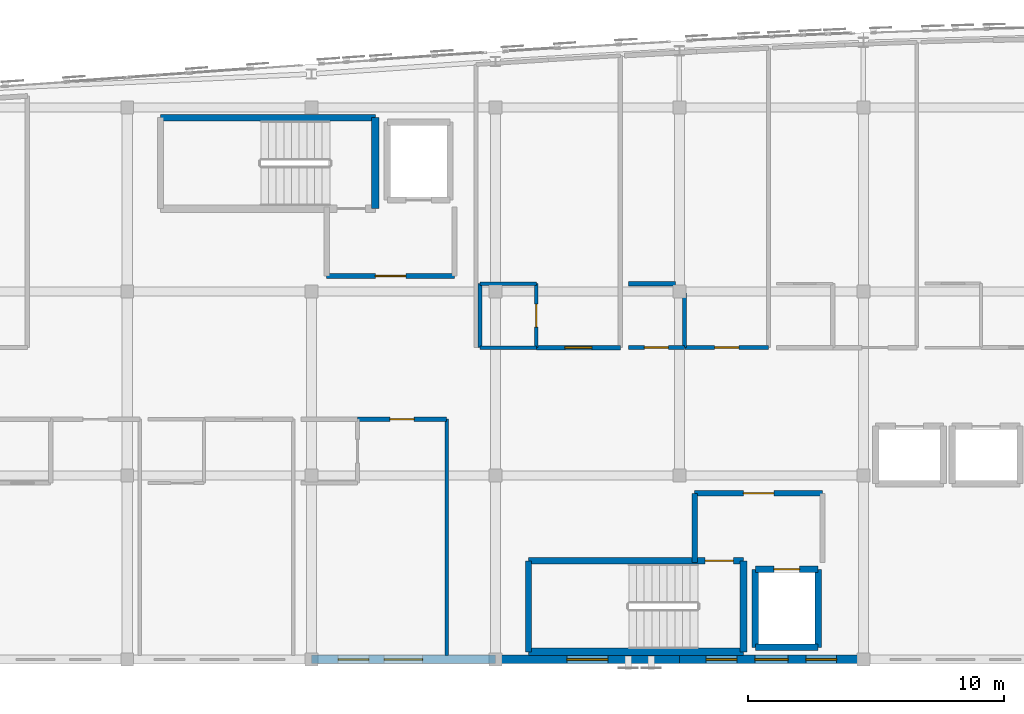
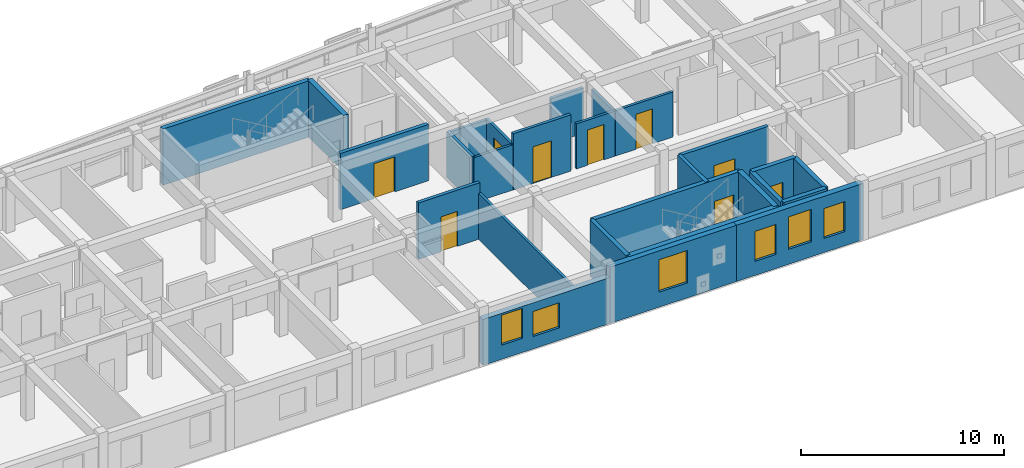
# One storey, part 27 of 34: 27 walls, 9 doors, 6 windows, 15 openings.
"""IFC4 building model written with IfcOpenShell, lengths in metres."""

from ifc_helpers import new_model, si_unit, direction, frame, frame_2d, origin, place, context, subcontext, project, spatial, rectangle, extrude, material, layer, layer_set, type_object, element, fill, save


model = new_model("IFC4")

# Units and contexts
model_context = context("Model", 3, precision=1e-05, world=origin(), true_north=direction((0.0, 1.0)))
body_context = subcontext(model_context, "Body", "Model", "MODEL_VIEW")
ifc_project = project(units=[si_unit("LENGTHUNIT", "METRE"), si_unit("AREAUNIT", "SQUARE_METRE"), si_unit("VOLUMEUNIT", "CUBIC_METRE"), si_unit("PLANEANGLEUNIT", "RADIAN"), si_unit("MASSUNIT", "GRAM", prefix="KILO")], contexts=[model_context])

# Site, building, storey
site_placement = place(None, origin())
site = spatial("IfcSite", under=ifc_project, at=site_placement, CompositionType="ELEMENT")
building_placement = place(site_placement, origin())
building = spatial("IfcBuilding", under=site, at=building_placement, Name="Carrowvane Square Congress Hotel", CompositionType="ELEMENT")
storey_placement = place(building_placement, frame((0.0, 0.0, 40.800048828125)))
storey = spatial("IfcBuildingStorey", under=building, at=storey_placement, Name="L10", CompositionType="ELEMENT", Elevation=40.800048828125)

# Wall, openings, windows
ifc_material_1 = material(Name="Glazed terracotta rainscreen", Category="masonry")
ifc_layer_1 = layer(ifc_material_1, 0.330078125)
ifc_layer_set_1 = layer_set([ifc_layer_1], Name="Glazed terracotta rainscreen")
wall_type_1 = type_object("IfcWallType", Name="WL-EXT-TC330", PredefinedType="STANDARD", material=ifc_layer_set_1)
wall_1_placement = place(storey_placement, frame((83.60009765625, 91.800048828125, 0.0), z_axis=(0.0, 0.0, 1.0), x_axis=(-1.0, 0.0, 0.0)))
wall_1 = element("IfcWall", 1, at=wall_1_placement, inside=storey, type_object=wall_type_1, Name="L10 exterior facade wall 594", PredefinedType="STANDARD", context=body_context, shape_type="SweptSolid", body=[
    extrude(rectangle(XDim=7.2001953125, YDim=0.330078125, at=frame_2d((3.60009765625, 0.0))), origin(), (0.0, 0.0, 1.0), 3.3798828125),
])
opening_1_placement = place(wall_1_placement, frame((2.949951171875, 0.0, 0.89990234375)))
opening_1 = element("IfcOpeningElement", 2, at=opening_1_placement, cuts=wall_1, Name="Opening W-29", PredefinedType="OPENING", context=body_context, shape_type="SweptSolid", body=[
    extrude(rectangle(XDim=1.300048828125, YDim=1.949951171875, at=frame_2d((0.64990234375, 0.97509765625))), frame((0.0, 0.175048828125, 0.0), z_axis=(0.0, -1.0, 0.0), x_axis=(1.0, 0.0, 0.0)), (0.0, 0.0, 1.0), 0.35009765625),
])
opening_2_placement = place(wall_1_placement, frame((1.050048828125, 0.0, 0.85009765625)))
opening_2 = element("IfcOpeningElement", 3, at=opening_2_placement, cuts=wall_1, Name="Opening W-01", PredefinedType="OPENING", context=body_context, shape_type="SweptSolid", body=[
    extrude(rectangle(XDim=1.199951171875, YDim=1.800048828125, at=frame_2d((0.60009765625, 0.89990234375))), frame((0.0, 0.175048828125, 0.0), z_axis=(0.0, -1.0, 0.0), x_axis=(1.0, 0.0, 0.0)), (0.0, 0.0, 1.0), 0.35009765625),
])
opening_3_placement = place(wall_1_placement, frame((4.949951171875, 0.0, 0.85009765625)))
opening_3 = element("IfcOpeningElement", 4, at=opening_3_placement, cuts=wall_1, Name="Opening W-01", PredefinedType="OPENING", context=body_context, shape_type="SweptSolid", body=[
    extrude(rectangle(XDim=1.199951171875, YDim=1.800048828125, at=frame_2d((0.60009765625, 0.89990234375))), frame((0.0, 0.175048828125, 0.0), z_axis=(0.0, -1.0, 0.0), x_axis=(1.0, 0.0, 0.0)), (0.0, 0.0, 1.0), 0.35009765625),
])
ifc_material_2 = material(Name="Double-glazed low-E glass", Category="glass")
window_type_1 = type_object("IfcWindowType", Name="WIN-01", PartitioningType="SINGLE_PANEL", PredefinedType="WINDOW", material=ifc_material_2)
window_1_placement = place(opening_2_placement, origin())
window_1 = element("IfcWindow", 5, at=window_1_placement, inside=storey, type_object=window_type_1, Name="L10 guest bedroom window 475", OverallHeight=1.800048828125, OverallWidth=1.199951171875, PartitioningType="SINGLE_PANEL", PredefinedType="WINDOW", context=body_context, shape_type="SweptSolid", body=[
    extrude(rectangle(XDim=1.199951171875, YDim=1.800048828125, at=frame_2d((0.60009765625, 0.89990234375))), frame((0.0, 0.030029296875, 0.0), z_axis=(0.0, -1.0, 0.0), x_axis=(1.0, 0.0, 0.0)), (0.0, 0.0, 1.0), 0.06005859375),
])
fill(opening_2, window_1)
window_2_placement = place(opening_3_placement, origin())
window_2 = element("IfcWindow", 6, at=window_2_placement, inside=storey, type_object=window_type_1, Name="L10 guest bedroom window 476", OverallHeight=1.800048828125, OverallWidth=1.199951171875, PartitioningType="SINGLE_PANEL", PredefinedType="WINDOW", context=body_context, shape_type="SweptSolid", body=[
    extrude(rectangle(XDim=1.199951171875, YDim=1.800048828125, at=frame_2d((0.60009765625, 0.89990234375))), frame((0.0, 0.030029296875, 0.0), z_axis=(0.0, -1.0, 0.0), x_axis=(1.0, 0.0, 0.0)), (0.0, 0.0, 1.0), 0.06005859375),
])
fill(opening_3, window_2)
ifc_material_3 = material(Name="Double-glazed low-E glass", Category="glass")
window_type_2 = type_object("IfcWindowType", Name="WIN-29", PartitioningType="SINGLE_PANEL", PredefinedType="WINDOW", material=ifc_material_3)
window_3_placement = place(opening_1_placement, origin())
window_3 = element("IfcWindow", 7, at=window_3_placement, inside=storey, type_object=window_type_2, Name="L10 facade window 474", OverallHeight=1.949951171875, OverallWidth=1.300048828125, PartitioningType="SINGLE_PANEL", PredefinedType="WINDOW", context=body_context, shape_type="SweptSolid", body=[
    extrude(rectangle(XDim=1.300048828125, YDim=1.949951171875, at=frame_2d((0.64990234375, 0.97509765625))), frame((0.0, 0.030029296875, 0.0), z_axis=(0.0, -1.0, 0.0), x_axis=(1.0, 0.0, 0.0)), (0.0, 0.0, 1.0), 0.06005859375),
])
fill(opening_1, window_3)

# Wall, opening, window
wall_2_placement = place(storey_placement, frame((76.39990234375, 91.800048828125, 0.0), z_axis=(0.0, 0.0, 1.0), x_axis=(-1.0, 0.0, 0.0)))
wall_2 = element("IfcWall", 8, at=wall_2_placement, inside=storey, type_object=wall_type_1, Name="L10 exterior facade wall 595", PredefinedType="STANDARD", context=body_context, shape_type="SweptSolid", body=[
    extrude(rectangle(XDim=7.199951171875, YDim=0.330078125, at=frame_2d((3.60009765625, 0.0))), origin(), (0.0, 0.0, 1.0), 3.3798828125),
])
opening_4_placement = place(wall_2_placement, frame((2.800048828125, 0.0, 0.89990234375)))
opening_4 = element("IfcOpeningElement", 9, at=opening_4_placement, cuts=wall_2, Name="Opening W-30", PredefinedType="OPENING", context=body_context, shape_type="SweptSolid", body=[
    extrude(rectangle(XDim=1.60009765625, YDim=1.949951171875, at=frame_2d((0.800048828125, 0.97509765625))), frame((0.0, 0.175048828125, 0.0), z_axis=(0.0, -1.0, 0.0), x_axis=(1.0, 0.0, 0.0)), (0.0, 0.0, 1.0), 0.35009765625),
])
ifc_material_4 = material(Name="Double-glazed low-E glass", Category="glass")
window_type_3 = type_object("IfcWindowType", Name="WIN-30", PartitioningType="SINGLE_PANEL", PredefinedType="WINDOW", material=ifc_material_4)
window_4_placement = place(opening_4_placement, origin())
window_4 = element("IfcWindow", 10, at=window_4_placement, inside=storey, type_object=window_type_3, Name="L10 facade window 477", OverallHeight=1.949951171875, OverallWidth=1.60009765625, PartitioningType="SINGLE_PANEL", PredefinedType="WINDOW", context=body_context, shape_type="SweptSolid", body=[
    extrude(rectangle(XDim=1.60009765625, YDim=1.949951171875, at=frame_2d((0.800048828125, 0.97509765625))), frame((0.0, 0.030029296875, 0.0), z_axis=(0.0, -1.0, 0.0), x_axis=(1.0, 0.0, 0.0)), (0.0, 0.0, 1.0), 0.06005859375),
])
fill(opening_4, window_4)

# Wall, openings, windows
wall_3_placement = place(storey_placement, frame((69.199951171875, 91.800048828125, 0.0), z_axis=(0.0, 0.0, 1.0), x_axis=(-1.0, 0.0, 0.0)))
wall_3 = element("IfcWall", 11, at=wall_3_placement, inside=storey, type_object=wall_type_1, Name="L10 exterior facade wall 596", PredefinedType="STANDARD", context=body_context, shape_type="SweptSolid", body=[
    extrude(rectangle(XDim=7.199951171875, YDim=0.330078125, at=frame_2d((3.60009765625, 0.0))), origin(), (0.0, 0.0, 1.0), 2.764892578125),
])
opening_5_placement = place(wall_3_placement, frame((2.85009765625, 0.0, 0.75)))
opening_5 = element("IfcOpeningElement", 12, at=opening_5_placement, cuts=wall_3, Name="Opening W-15", PredefinedType="OPENING", context=body_context, shape_type="SweptSolid", body=[
    extrude(rectangle(XDim=1.5, YDim=1.5, at=frame_2d((0.75, 0.75))), frame((0.0, 0.175048828125, 0.0), z_axis=(0.0, -1.0, 0.0), x_axis=(1.0, 0.0, 0.0)), (0.0, 0.0, 1.0), 0.35009765625),
])
opening_6_placement = place(wall_3_placement, frame((4.949951171875, 0.0, 0.85009765625)))
opening_6 = element("IfcOpeningElement", 13, at=opening_6_placement, cuts=wall_3, Name="Opening W-01", PredefinedType="OPENING", context=body_context, shape_type="SweptSolid", body=[
    extrude(rectangle(XDim=1.199951171875, YDim=1.800048828125, at=frame_2d((0.60009765625, 0.89990234375))), frame((0.0, 0.175048828125, 0.0), z_axis=(0.0, -1.0, 0.0), x_axis=(1.0, 0.0, 0.0)), (0.0, 0.0, 1.0), 0.35009765625),
])
window_5_placement = place(opening_6_placement, origin())
window_5 = element("IfcWindow", 14, at=window_5_placement, inside=storey, type_object=window_type_1, Name="L10 guest bedroom window 481", OverallHeight=1.800048828125, OverallWidth=1.199951171875, PartitioningType="SINGLE_PANEL", PredefinedType="WINDOW", context=body_context, shape_type="SweptSolid", body=[
    extrude(rectangle(XDim=1.199951171875, YDim=1.800048828125, at=frame_2d((0.60009765625, 0.89990234375))), frame((0.0, 0.030029296875, 0.0), z_axis=(0.0, -1.0, 0.0), x_axis=(1.0, 0.0, 0.0)), (0.0, 0.0, 1.0), 0.06005859375),
])
fill(opening_6, window_5)
ifc_material_5 = material(Name="Double-glazed low-E glass", Category="glass")
window_type_4 = type_object("IfcWindowType", Name="WIN-15", PartitioningType="SINGLE_PANEL", PredefinedType="WINDOW", material=ifc_material_5)
window_6_placement = place(opening_5_placement, origin())
window_6 = element("IfcWindow", 15, at=window_6_placement, inside=storey, type_object=window_type_4, Name="L10 facade window 479", OverallHeight=1.5, OverallWidth=1.5, PartitioningType="SINGLE_PANEL", PredefinedType="WINDOW", context=body_context, shape_type="SweptSolid", body=[
    extrude(rectangle(XDim=1.5, YDim=1.5, at=frame_2d((0.75, 0.75))), frame((0.0, 0.030029296875, 0.0), z_axis=(0.0, -1.0, 0.0), x_axis=(1.0, 0.0, 0.0)), (0.0, 0.0, 1.0), 0.06005859375),
])
fill(opening_5, window_6)

# Walls
ifc_material_6 = material(Name="Acoustic gypsum board", Category="gypsum")
ifc_layer_2 = layer(ifc_material_6, 0.155029296875)
ifc_layer_set_2 = layer_set([ifc_layer_2], Name="Acoustic gypsum board")
wall_type_2 = type_object("IfcWallType", Name="WL-FIR-155", PredefinedType="PARTITIONING", material=ifc_layer_set_2)
wall_4_placement = place(storey_placement, frame((68.60009765625, 106.5, 0.0), z_axis=(0.0, 0.0, 1.0), x_axis=(1.0, 0.0, 0.0)))
element("IfcWall", 16, at=wall_4_placement, inside=storey, type_object=wall_type_2, Name="L10 En-suite Bathroom 1008 partition", PredefinedType="PARTITIONING", context=body_context, shape_type="SweptSolid", body=[
    extrude(rectangle(XDim=2.199951171875, YDim=0.155029296875, at=frame_2d((1.10009765625, 0.0))), origin(), (0.0, 0.0, 1.0), 2.71484375),
])
wall_5_placement = place(storey_placement, frame((76.60009765625, 106.139892578125, 0.0), z_axis=(0.0, 0.0, 1.0), x_axis=(0.0, -1.0, 0.0)))
element("IfcWall", 17, at=wall_5_placement, inside=storey, type_object=wall_type_2, Name="L10 En-suite Bathroom 1009 partition", PredefinedType="PARTITIONING", context=body_context, shape_type="SweptSolid", body=[
    extrude(rectangle(XDim=2.139892578125, YDim=0.155029296875, at=frame_2d((1.06982421875, 0.0))), origin(), (0.0, 0.0, 1.0), 2.71484375),
])
ifc_material_7 = material(Name="Acoustic gypsum board", Category="gypsum")
ifc_layer_3 = layer(ifc_material_7, 0.169921875)
ifc_layer_set_3 = layer_set([ifc_layer_3], Name="Acoustic gypsum board")
wall_type_3 = type_object("IfcWallType", Name="WL-FIR-170", PredefinedType="PARTITIONING", material=ifc_layer_set_3)
wall_6_placement = place(storey_placement, frame((68.60009765625, 104.0, 0.0), z_axis=(0.0, 0.0, 1.0), x_axis=(0.0, 1.0, 0.0)))
element("IfcWall", 18, at=wall_6_placement, inside=storey, type_object=wall_type_3, Name="L10 En-suite Bathroom 1008 partition", PredefinedType="PARTITIONING", context=body_context, shape_type="SweptSolid", body=[
    extrude(rectangle(XDim=2.5, YDim=0.169921875, at=frame_2d((1.25, 0.0))), origin(), (0.0, 0.0, 1.0), 2.764892578125),
])

# Wall, opening, door
wall_7_placement = place(storey_placement, frame((74.090087890625, 104.0, 0.0), z_axis=(0.0, 0.0, 1.0), x_axis=(-1.0, 0.0, 0.0)))
wall_7 = element("IfcWall", 19, at=wall_7_placement, inside=storey, type_object=wall_type_3, Name="L10 Parkview Suite 1008 partition", PredefinedType="PARTITIONING", context=body_context, shape_type="SweptSolid", body=[
    extrude(rectangle(XDim=3.280029296875, YDim=0.169921875, at=frame_2d((1.64013671875, 0.0))), origin(), (0.0, 0.0, 1.0), 3.3798828125),
])
opening_7_placement = place(wall_7_placement, frame((1.110107421875, 0.0, 0.0)))
opening_7 = element("IfcOpeningElement", 20, at=opening_7_placement, cuts=wall_7, Name="Opening FD-09", PredefinedType="OPENING", context=body_context, shape_type="SweptSolid", body=[
    extrude(rectangle(XDim=1.06005859375, YDim=2.199951171875, at=frame_2d((0.530029296875, 1.10009765625))), frame((0.0, 0.094970703125, 0.0), z_axis=(0.0, -1.0, 0.0), x_axis=(1.0, 0.0, 0.0)), (0.0, 0.0, 1.0), 0.18994140625),
])
ifc_material_8 = material(Name="European oak timber", Category="wood")
door_type_1 = type_object("IfcDoorType", Name="DR-FD30-1060x2200", OperationType="NOTDEFINED", PredefinedType="DOOR", material=ifc_material_8)
door_1_placement = place(opening_7_placement, origin())
door_1 = element("IfcDoor", 21, at=door_1_placement, inside=storey, type_object=door_type_1, Name="L10 Parkview Suite 1008 entrance door", OperationType="SINGLE_SWING_LEFT", OverallHeight=2.199951171875, OverallWidth=1.06005859375, PredefinedType="DOOR", context=body_context, shape_type="SweptSolid", body=[
    extrude(rectangle(XDim=1.06005859375, YDim=2.199951171875, at=frame_2d((0.530029296875, 1.10009765625))), frame((0.0, 0.02490234375, 0.0), z_axis=(0.0, -1.0, 0.0), x_axis=(1.0, 0.0, 0.0)), (0.0, 0.0, 1.0), 0.050048828125),
])
fill(opening_7, door_1)

# Wall
wall_8_placement = place(storey_placement, frame((74.39990234375, 106.5, 0.0), z_axis=(0.0, 0.0, 1.0), x_axis=(1.0, 0.0, 0.0)))
element("IfcWall", 22, at=wall_8_placement, inside=storey, type_object=wall_type_3, Name="L10 En-suite Bathroom 1009 partition", PredefinedType="PARTITIONING", context=body_context, shape_type="SweptSolid", body=[
    extrude(rectangle(XDim=1.840087890625, YDim=0.169921875, at=frame_2d((0.919921875, 0.0))), origin(), (0.0, 0.0, 1.0), 2.71484375),
])

# Wall, opening, door
ifc_material_9 = material(Name="Acoustic gypsum board", Category="gypsum")
ifc_layer_4 = layer(ifc_material_9, 0.18505859375)
ifc_layer_set_4 = layer_set([ifc_layer_4], Name="Acoustic gypsum board")
wall_type_4 = type_object("IfcWallType", Name="WL-FIR-185", PredefinedType="PARTITIONING", material=ifc_layer_set_4)
wall_9_placement = place(storey_placement, frame((63.81005859375, 101.199951171875, 0.0), z_axis=(0.0, 0.0, 1.0), x_axis=(1.0, 0.0, 0.0)))
wall_9 = element("IfcWall", 23, at=wall_9_placement, inside=storey, type_object=wall_type_4, Name="L10 Hotel Suite 1004 partition", PredefinedType="PARTITIONING", context=body_context, shape_type="SweptSolid", body=[
    extrude(rectangle(XDim=3.47998046875, YDim=0.18505859375, at=frame_2d((1.739990234375, 0.0))), origin(), (0.0, 0.0, 1.0), 3.3798828125),
])
opening_8_placement = place(wall_9_placement, frame((1.264892578125, 0.0, 0.0)))
opening_8 = element("IfcOpeningElement", 24, at=opening_8_placement, cuts=wall_9, Name="Opening FD-06", PredefinedType="OPENING", context=body_context, shape_type="SweptSolid", body=[
    extrude(rectangle(XDim=0.949951171875, YDim=2.10009765625, at=frame_2d((0.47509765625, 1.050048828125))), frame((0.0, 0.1025390625, 0.0), z_axis=(0.0, -1.0, 0.0), x_axis=(1.0, 0.0, 0.0)), (0.0, 0.0, 1.0), 0.205078125),
])
ifc_material_10 = material(Name="European oak timber", Category="wood")
door_type_2 = type_object("IfcDoorType", Name="DR-FD30-0950x2100", OperationType="NOTDEFINED", PredefinedType="DOOR", material=ifc_material_10)
door_2_placement = place(opening_8_placement, origin())
door_2 = element("IfcDoor", 25, at=door_2_placement, inside=storey, type_object=door_type_2, Name="L10 Hotel Suite 1004 entrance door", OperationType="SINGLE_SWING_LEFT", OverallHeight=2.10009765625, OverallWidth=0.949951171875, PredefinedType="DOOR", context=body_context, shape_type="SweptSolid", body=[
    extrude(rectangle(XDim=0.949951171875, YDim=2.10009765625, at=frame_2d((0.47509765625, 1.050048828125))), frame((0.0, 0.02490234375, 0.0), z_axis=(0.0, -1.0, 0.0), x_axis=(1.0, 0.0, 0.0)), (0.0, 0.0, 1.0), 0.050048828125),
])
fill(opening_8, door_2)

ifc_material_11 = material(Name="Acoustic gypsum board", Category="gypsum")
ifc_layer_5 = layer(ifc_material_11, 0.205078125)
ifc_layer_set_5 = layer_set([ifc_layer_5], Name="Acoustic gypsum board")
wall_type_5 = type_object("IfcWallType", Name="WL-FIR-205", PredefinedType="PARTITIONING", material=ifc_layer_set_5)
wall_10_placement = place(storey_placement, frame((62.60009765625, 106.800048828125, 0.0), z_axis=(0.0, 0.0, 1.0), x_axis=(1.0, 0.0, 0.0)))
wall_10 = element("IfcWall", 26, at=wall_10_placement, inside=storey, type_object=wall_type_5, Name="L10 Firefighting Lobby C1 wall south", PredefinedType="PARTITIONING", context=body_context, shape_type="SweptSolid", body=[
    extrude(rectangle(XDim=5.0, YDim=0.205078125, at=frame_2d((2.5, 0.0))), origin(), (0.0, 0.0, 1.0), 3.3798828125),
])
opening_9_placement = place(wall_10_placement, frame((1.89990234375, 0.0, 0.0)))
opening_9 = element("IfcOpeningElement", 27, at=opening_9_placement, cuts=wall_10, Name="Opening FD-02", PredefinedType="OPENING", context=body_context, shape_type="SweptSolid", body=[
    extrude(rectangle(XDim=1.199951171875, YDim=2.10009765625, at=frame_2d((0.60009765625, 1.050048828125))), frame((0.0, 0.112548828125, 0.0), z_axis=(0.0, -1.0, 0.0), x_axis=(1.0, 0.0, 0.0)), (0.0, 0.0, 1.0), 0.22509765625),
])
ifc_material_12 = material(Name="European oak timber", Category="wood")
door_type_3 = type_object("IfcDoorType", Name="DR-FD60-1200x2100", OperationType="NOTDEFINED", PredefinedType="DOOR", material=ifc_material_12)
door_3_placement = place(opening_9_placement, origin())
door_3 = element("IfcDoor", 28, at=door_3_placement, inside=storey, type_object=door_type_3, Name="L10 Firefighting Lobby C1 entrance door", OperationType="SINGLE_SWING_LEFT", OverallHeight=2.10009765625, OverallWidth=1.199951171875, PredefinedType="DOOR", context=body_context, shape_type="SweptSolid", body=[
    extrude(rectangle(XDim=1.199951171875, YDim=2.10009765625, at=frame_2d((0.60009765625, 1.050048828125))), frame((0.0, 0.02490234375, 0.0), z_axis=(0.0, -1.0, 0.0), x_axis=(1.0, 0.0, 0.0)), (0.0, 0.0, 1.0), 0.050048828125),
])
fill(opening_9, door_3)

wall_11_placement = place(storey_placement, frame((82.0, 98.300048828125, 0.0), z_axis=(0.0, 0.0, 1.0), x_axis=(-1.0, 0.0, 0.0)))
wall_11 = element("IfcWall", 29, at=wall_11_placement, inside=storey, type_object=wall_type_5, Name="L10 Firefighting Lobby C2 wall north", PredefinedType="PARTITIONING", context=body_context, shape_type="SweptSolid", body=[
    extrude(rectangle(XDim=5.0, YDim=0.205078125, at=frame_2d((2.5, 0.0))), origin(), (0.0, 0.0, 1.0), 3.3798828125),
])
opening_10_placement = place(wall_11_placement, frame((1.89990234375, 0.0, 0.0)))
opening_10 = element("IfcOpeningElement", 30, at=opening_10_placement, cuts=wall_11, Name="Opening FD-02", PredefinedType="OPENING", context=body_context, shape_type="SweptSolid", body=[
    extrude(rectangle(XDim=1.199951171875, YDim=2.10009765625, at=frame_2d((0.60009765625, 1.050048828125))), frame((0.0, 0.112548828125, 0.0), z_axis=(0.0, -1.0, 0.0), x_axis=(1.0, 0.0, 0.0)), (0.0, 0.0, 1.0), 0.22509765625),
])
door_4_placement = place(opening_10_placement, origin())
door_4 = element("IfcDoor", 31, at=door_4_placement, inside=storey, type_object=door_type_3, Name="L10 Firefighting Lobby C2 entrance door", OperationType="SINGLE_SWING_RIGHT", OverallHeight=2.10009765625, OverallWidth=1.199951171875, PredefinedType="DOOR", context=body_context, shape_type="SweptSolid", body=[
    extrude(rectangle(XDim=1.199951171875, YDim=2.10009765625, at=frame_2d((0.60009765625, 1.050048828125))), frame((0.0, 0.02490234375, 0.0), z_axis=(0.0, -1.0, 0.0), x_axis=(1.0, 0.0, 0.0)), (0.0, 0.0, 1.0), 0.050048828125),
])
fill(opening_10, door_4)

# Walls
wall_12_placement = place(storey_placement, frame((77.0, 98.300048828125, 0.0), z_axis=(0.0, 0.0, 1.0), x_axis=(0.0, -1.0, 0.0)))
element("IfcWall", 32, at=wall_12_placement, inside=storey, type_object=wall_type_5, Name="L10 Firefighting Lobby C2 wall west", PredefinedType="PARTITIONING", context=body_context, shape_type="SweptSolid", body=[
    extrude(rectangle(XDim=2.699951171875, YDim=0.205078125, at=frame_2d((1.35009765625, 0.0))), origin(), (0.0, 0.0, 1.0), 3.3798828125),
])
ifc_material_13 = material(Name="Acoustic gypsum board", Category="gypsum")
ifc_layer_6 = layer(ifc_material_13, 0.137939453125)
ifc_layer_set_6 = layer_set([ifc_layer_6], Name="Acoustic gypsum board")
wall_type_6 = type_object("IfcWallType", Name="WL-PRT-138", PredefinedType="PARTITIONING", material=ifc_layer_set_6)
wall_13_placement = place(storey_placement, frame((67.2900390625, 101.199951171875, 0.0), z_axis=(0.0, 0.0, 1.0), x_axis=(0.0, -1.0, 0.0)))
element("IfcWall", 33, at=wall_13_placement, inside=storey, type_object=wall_type_6, Name="L10 Hotel Suite 1004 partition", PredefinedType="PARTITIONING", context=body_context, shape_type="SweptSolid", body=[
    extrude(rectangle(XDim=9.239990234375, YDim=0.137939453125, at=frame_2d((4.6201171875, 0.0))), origin(), (0.0, 0.0, 1.0), 2.764892578125),
])
wall_14_placement = place(storey_placement, frame((70.800048828125, 104.0, 0.0), z_axis=(0.0, 0.0, 1.0), x_axis=(-1.0, 0.0, 0.0)))
element("IfcWall", 34, at=wall_14_placement, inside=storey, type_object=wall_type_6, Name="L10 En-suite Bathroom 1008 partition", PredefinedType="PARTITIONING", context=body_context, shape_type="SweptSolid", body=[
    extrude(rectangle(XDim=2.199951171875, YDim=0.137939453125, at=frame_2d((1.10009765625, 0.0))), origin(), (0.0, 0.0, 1.0), 2.71484375),
])

# Wall, opening, door
ifc_material_14 = material(Name="Acoustic gypsum board", Category="gypsum")
ifc_layer_7 = layer(ifc_material_14, 0.14794921875)
ifc_layer_set_7 = layer_set([ifc_layer_7], Name="Acoustic gypsum board")
wall_type_7 = type_object("IfcWallType", Name="WL-PRT-148", PredefinedType="PARTITIONING", material=ifc_layer_set_7)
wall_15_placement = place(storey_placement, frame((70.800048828125, 106.5, 0.0), z_axis=(0.0, 0.0, 1.0), x_axis=(0.0, -1.0, 0.0)))
wall_15 = element("IfcWall", 35, at=wall_15_placement, inside=storey, type_object=wall_type_7, Name="L10 En-suite Bathroom 1008 partition", PredefinedType="PARTITIONING", context=body_context, shape_type="SweptSolid", body=[
    extrude(rectangle(XDim=2.5, YDim=0.14794921875, at=frame_2d((1.25, 0.0))), origin(), (0.0, 0.0, 1.0), 2.764892578125),
])
opening_11_placement = place(wall_15_placement, frame((0.800048828125, 0.0, 0.0)))
opening_11 = element("IfcOpeningElement", 36, at=opening_11_placement, cuts=wall_15, Name="Opening ID-02", PredefinedType="OPENING", context=body_context, shape_type="SweptSolid", body=[
    extrude(rectangle(XDim=0.89990234375, YDim=2.080078125, at=frame_2d((0.449951171875, 1.0400390625))), frame((0.0, 0.083984375, 0.0), z_axis=(0.0, -1.0, 0.0), x_axis=(1.0, 0.0, 0.0)), (0.0, 0.0, 1.0), 0.16796875),
])
ifc_material_15 = material(Name="European oak timber", Category="wood")
door_type_4 = type_object("IfcDoorType", Name="DR-INT-0900x2080", OperationType="NOTDEFINED", PredefinedType="DOOR", material=ifc_material_15)
door_5_placement = place(opening_11_placement, origin())
door_5 = element("IfcDoor", 37, at=door_5_placement, inside=storey, type_object=door_type_4, Name="L10 En-suite Bathroom 1008 door", OperationType="SINGLE_SWING_RIGHT", OverallHeight=2.080078125, OverallWidth=0.89990234375, PredefinedType="DOOR", context=body_context, shape_type="SweptSolid", body=[
    extrude(rectangle(XDim=0.89990234375, YDim=2.080078125, at=frame_2d((0.449951171875, 1.0400390625))), frame((0.0, 0.02490234375, 0.0), z_axis=(0.0, -1.0, 0.0), x_axis=(1.0, 0.0, 0.0)), (0.0, 0.0, 1.0), 0.050048828125),
])
fill(opening_11, door_5)

wall_16_placement = place(storey_placement, frame((76.60009765625, 104.0, 0.0), z_axis=(0.0, 0.0, 1.0), x_axis=(-1.0, 0.0, 0.0)))
wall_16 = element("IfcWall", 38, at=wall_16_placement, inside=storey, type_object=wall_type_7, Name="L10 En-suite Bathroom 1009 partition", PredefinedType="PARTITIONING", context=body_context, shape_type="SweptSolid", body=[
    extrude(rectangle(XDim=2.2001953125, YDim=0.14794921875, at=frame_2d((1.10009765625, 0.0))), origin(), (0.0, 0.0, 1.0), 2.71484375),
])
opening_12_placement = place(wall_16_placement, frame((0.6298828125, 0.0, 0.0)))
opening_12 = element("IfcOpeningElement", 39, at=opening_12_placement, cuts=wall_16, Name="Opening ID-04", PredefinedType="OPENING", context=body_context, shape_type="SweptSolid", body=[
    extrude(rectangle(XDim=0.93994140625, YDim=2.1201171875, at=frame_2d((0.469970703125, 1.06005859375))), frame((0.0, 0.083984375, 0.0), z_axis=(0.0, -1.0, 0.0), x_axis=(1.0, 0.0, 0.0)), (0.0, 0.0, 1.0), 0.16796875),
])
ifc_material_16 = material(Name="European oak timber", Category="wood")
door_type_5 = type_object("IfcDoorType", Name="DR-INT-0940x2120", OperationType="NOTDEFINED", PredefinedType="DOOR", material=ifc_material_16)
door_6_placement = place(opening_12_placement, origin())
door_6 = element("IfcDoor", 40, at=door_6_placement, inside=storey, type_object=door_type_5, Name="L10 En-suite Bathroom 1009 door", OperationType="SINGLE_SWING_RIGHT", OverallHeight=2.1201171875, OverallWidth=0.93994140625, PredefinedType="DOOR", context=body_context, shape_type="SweptSolid", body=[
    extrude(rectangle(XDim=0.93994140625, YDim=2.1201171875, at=frame_2d((0.469970703125, 1.06005859375))), frame((0.0, 0.02490234375, 0.0), z_axis=(0.0, -1.0, 0.0), x_axis=(1.0, 0.0, 0.0)), (0.0, 0.0, 1.0), 0.050048828125),
])
fill(opening_12, door_6)

wall_17_placement = place(storey_placement, frame((79.889892578125, 104.0, 0.0), z_axis=(0.0, 0.0, 1.0), x_axis=(-1.0, 0.0, 0.0)))
wall_17 = element("IfcWall", 41, at=wall_17_placement, inside=storey, type_object=wall_type_7, Name="L10 Parkview Suite 1009 partition", PredefinedType="PARTITIONING", context=body_context, shape_type="SweptSolid", body=[
    extrude(rectangle(XDim=3.27978515625, YDim=0.14794921875, at=frame_2d((1.639892578125, 0.0))), origin(), (0.0, 0.0, 1.0), 2.71484375),
])
opening_13_placement = place(wall_17_placement, frame((1.1650390625, 0.0, 0.0)))
opening_13 = element("IfcOpeningElement", 42, at=opening_13_placement, cuts=wall_17, Name="Opening FD-06", PredefinedType="OPENING", context=body_context, shape_type="SweptSolid", body=[
    extrude(rectangle(XDim=0.949951171875, YDim=2.10009765625, at=frame_2d((0.47509765625, 1.050048828125))), frame((0.0, 0.083984375, 0.0), z_axis=(0.0, -1.0, 0.0), x_axis=(1.0, 0.0, 0.0)), (0.0, 0.0, 1.0), 0.16796875),
])
door_7_placement = place(opening_13_placement, origin())
door_7 = element("IfcDoor", 43, at=door_7_placement, inside=storey, type_object=door_type_2, Name="L10 Parkview Suite 1009 entrance door", OperationType="SINGLE_SWING_LEFT", OverallHeight=2.10009765625, OverallWidth=0.949951171875, PredefinedType="DOOR", context=body_context, shape_type="SweptSolid", body=[
    extrude(rectangle(XDim=0.949951171875, YDim=2.10009765625, at=frame_2d((0.47509765625, 1.050048828125))), frame((0.0, 0.02490234375, 0.0), z_axis=(0.0, -1.0, 0.0), x_axis=(1.0, 0.0, 0.0)), (0.0, 0.0, 1.0), 0.050048828125),
])
fill(opening_13, door_7)

# Walls
ifc_material_17 = material(Name="Concrete C40/50", Category="concrete")
ifc_layer_8 = layer(ifc_material_17, 0.22509765625)
ifc_layer_set_8 = layer_set([ifc_layer_8], Name="Concrete C40/50")
wall_type_8 = type_object("IfcWallType", Name="WL-SHR-225", PredefinedType="SHEAR", material=ifc_layer_set_8)
wall_18_placement = place(storey_placement, frame((70.5, 95.659912109375, 0.0), z_axis=(0.0, 0.0, 1.0), x_axis=(0.0, -1.0, 0.0)))
element("IfcWall", 44, at=wall_18_placement, inside=storey, type_object=wall_type_8, Name="L10 ST2 core wall west", PredefinedType="SHEAR", context=body_context, shape_type="SweptSolid", body=[
    extrude(rectangle(XDim=3.559814453125, YDim=0.22509765625, at=frame_2d((1.77978515625, 0.0))), origin(), (0.0, 0.0, 1.0), 3.3798828125),
])
ifc_material_18 = material(Name="Concrete C40/50", Category="concrete")
ifc_layer_9 = layer(ifc_material_18, 0.25)
ifc_layer_set_9 = layer_set([ifc_layer_9], Name="Concrete C40/50")
wall_type_9 = type_object("IfcWallType", Name="WL-SHR-250", PredefinedType="SHEAR", material=ifc_layer_set_9)
wall_19_placement = place(storey_placement, frame((64.5, 113.0, 0.0), z_axis=(0.0, 0.0, 1.0), x_axis=(-1.0, 0.0, 0.0)))
element("IfcWall", 45, at=wall_19_placement, inside=storey, type_object=wall_type_9, Name="L10 ST1 core wall north", PredefinedType="SHEAR", context=body_context, shape_type="SweptSolid", body=[
    extrude(rectangle(XDim=8.39990234375, YDim=0.25, at=frame_2d((4.199951171875, 0.0))), origin(), (0.0, 0.0, 1.0), 3.3798828125),
])

# Wall, opening, door
wall_20_placement = place(storey_placement, frame((78.89990234375, 95.659912109375, 0.0), z_axis=(0.0, 0.0, 1.0), x_axis=(-1.0, 0.0, 0.0)))
wall_20 = element("IfcWall", 46, at=wall_20_placement, inside=storey, type_object=wall_type_9, Name="L10 ST2 core wall north", PredefinedType="SHEAR", context=body_context, shape_type="SweptSolid", body=[
    extrude(rectangle(XDim=8.39990234375, YDim=0.25, at=frame_2d((4.199951171875, 0.0))), origin(), (0.0, 0.0, 1.0), 3.3798828125),
])
opening_14_placement = place(wall_20_placement, frame((0.389892578125, 0.0, 0.0)))
opening_14 = element("IfcOpeningElement", 47, at=opening_14_placement, cuts=wall_20, Name="Opening FD-01", PredefinedType="OPENING", context=body_context, shape_type="SweptSolid", body=[
    extrude(rectangle(XDim=1.10009765625, YDim=2.10009765625, at=frame_2d((0.550048828125, 1.050048828125))), frame((0.0, 0.135009765625, 0.0), z_axis=(0.0, -1.0, 0.0), x_axis=(1.0, 0.0, 0.0)), (0.0, 0.0, 1.0), 0.27001953125),
])
ifc_material_19 = material(Name="European oak timber", Category="wood")
door_type_6 = type_object("IfcDoorType", Name="DR-FD60-1100x2100", OperationType="NOTDEFINED", PredefinedType="DOOR", material=ifc_material_19)
door_8_placement = place(opening_14_placement, origin())
door_8 = element("IfcDoor", 48, at=door_8_placement, inside=storey, type_object=door_type_6, Name="L10 ST2 fire door", OperationType="SINGLE_SWING_LEFT", OverallHeight=2.10009765625, OverallWidth=1.10009765625, PredefinedType="DOOR", context=body_context, shape_type="SweptSolid", body=[
    extrude(rectangle(XDim=1.10009765625, YDim=2.10009765625, at=frame_2d((0.550048828125, 1.050048828125))), frame((0.0, 0.02490234375, 0.0), z_axis=(0.0, -1.0, 0.0), x_axis=(1.0, 0.0, 0.0)), (0.0, 0.0, 1.0), 0.050048828125),
])
fill(opening_14, door_8)

# Walls
wall_21_placement = place(storey_placement, frame((79.375, 92.27490234375, 0.0), z_axis=(0.0, 0.0, 1.0), x_axis=(1.0, 0.0, 0.0)))
element("IfcWall", 49, at=wall_21_placement, inside=storey, type_object=wall_type_9, Name="L10 FFL-2 shaft wall south", PredefinedType="SHEAR", context=body_context, shape_type="SweptSolid", body=[
    extrude(rectangle(XDim=2.449951171875, YDim=0.25, at=frame_2d((1.22509765625, 0.0))), origin(), (0.0, 0.0, 1.0), 3.3798828125),
])
wall_22_placement = place(storey_placement, frame((81.824951171875, 92.27490234375, 0.0), z_axis=(0.0, 0.0, 1.0), x_axis=(0.0, 1.0, 0.0)))
element("IfcWall", 50, at=wall_22_placement, inside=storey, type_object=wall_type_9, Name="L10 FFL-2 shaft wall east", PredefinedType="SHEAR", context=body_context, shape_type="SweptSolid", body=[
    extrude(rectangle(XDim=3.050048828125, YDim=0.25, at=frame_2d((1.52490234375, 0.0))), origin(), (0.0, 0.0, 1.0), 3.3798828125),
])

# Wall, opening, door
wall_23_placement = place(storey_placement, frame((81.824951171875, 95.324951171875, 0.0), z_axis=(0.0, 0.0, 1.0), x_axis=(-1.0, 0.0, 0.0)))
wall_23 = element("IfcWall", 51, at=wall_23_placement, inside=storey, type_object=wall_type_9, Name="L10 FFL-2 shaft wall north", PredefinedType="SHEAR", context=body_context, shape_type="SweptSolid", body=[
    extrude(rectangle(XDim=2.449951171875, YDim=0.25, at=frame_2d((1.22509765625, 0.0))), origin(), (0.0, 0.0, 1.0), 3.3798828125),
])
opening_15_placement = place(wall_23_placement, frame((0.72509765625, 0.0, 0.0)))
opening_15 = element("IfcOpeningElement", 52, at=opening_15_placement, cuts=wall_23, Name="Opening LD-FFL-2", PredefinedType="OPENING", context=body_context, shape_type="SweptSolid", body=[
    extrude(rectangle(XDim=1.0, YDim=2.14990234375, at=frame_2d((0.5, 1.074951171875))), frame((0.0, 0.135009765625, 0.0), z_axis=(0.0, -1.0, 0.0), x_axis=(1.0, 0.0, 0.0)), (0.0, 0.0, 1.0), 0.27001953125),
])
ifc_material_20 = material(Name="Stainless steel 316", Category="steel")
door_type_7 = type_object("IfcDoorType", Name="DR-LD-1000x2150", OperationType="DOUBLE_DOOR_SLIDING", PredefinedType="DOOR", material=ifc_material_20)
door_9_placement = place(opening_15_placement, origin())
door_9 = element("IfcDoor", 53, at=door_9_placement, inside=storey, type_object=door_type_7, Name="L10 FFL-2 sliding lift landing door", OperationType="DOUBLE_DOOR_SLIDING", OverallHeight=2.14990234375, OverallWidth=1.0, PredefinedType="DOOR", context=body_context, shape_type="SweptSolid", body=[
    extrude(rectangle(XDim=1.0, YDim=2.14990234375, at=frame_2d((0.5, 1.074951171875))), frame((0.0, 0.02490234375, 0.0), z_axis=(0.0, -1.0, 0.0), x_axis=(1.0, 0.0, 0.0)), (0.0, 0.0, 1.0), 0.050048828125),
])
fill(opening_15, door_9)

# Walls
wall_24_placement = place(storey_placement, frame((79.375, 95.324951171875, 0.0), z_axis=(0.0, 0.0, 1.0), x_axis=(0.0, -1.0, 0.0)))
element("IfcWall", 54, at=wall_24_placement, inside=storey, type_object=wall_type_9, Name="L10 FFL-2 shaft wall west", PredefinedType="SHEAR", context=body_context, shape_type="SweptSolid", body=[
    extrude(rectangle(XDim=3.050048828125, YDim=0.25, at=frame_2d((1.52490234375, 0.0))), origin(), (0.0, 0.0, 1.0), 3.3798828125),
])
ifc_material_21 = material(Name="Concrete C40/50", Category="concrete")
ifc_layer_10 = layer(ifc_material_21, 0.27490234375)
ifc_layer_set_10 = layer_set([ifc_layer_10], Name="Concrete C40/50")
wall_type_10 = type_object("IfcWallType", Name="WL-SHR-275", PredefinedType="SHEAR", material=ifc_layer_set_10)
wall_25_placement = place(storey_placement, frame((64.5, 109.43994140625, 0.0), z_axis=(0.0, 0.0, 1.0), x_axis=(0.0, 1.0, 0.0)))
element("IfcWall", 55, at=wall_25_placement, inside=storey, type_object=wall_type_10, Name="L10 ST1 core wall east", PredefinedType="SHEAR", context=body_context, shape_type="SweptSolid", body=[
    extrude(rectangle(XDim=3.56005859375, YDim=0.27490234375, at=frame_2d((1.780029296875, 0.0))), origin(), (0.0, 0.0, 1.0), 3.3798828125),
])
wall_26_placement = place(storey_placement, frame((78.89990234375, 92.10009765625, 0.0), z_axis=(0.0, 0.0, 1.0), x_axis=(0.0, 1.0, 0.0)))
element("IfcWall", 56, at=wall_26_placement, inside=storey, type_object=wall_type_10, Name="L10 ST2 core wall east", PredefinedType="SHEAR", context=body_context, shape_type="SweptSolid", body=[
    extrude(rectangle(XDim=3.559814453125, YDim=0.27490234375, at=frame_2d((1.77978515625, 0.0))), origin(), (0.0, 0.0, 1.0), 3.3798828125),
])
ifc_material_22 = material(Name="Concrete C40/50", Category="concrete")
ifc_layer_11 = layer(ifc_material_22, 0.300048828125)
ifc_layer_set_11 = layer_set([ifc_layer_11], Name="Concrete C40/50")
wall_type_11 = type_object("IfcWallType", Name="WL-SHR-300", PredefinedType="SHEAR", material=ifc_layer_set_11)
wall_27_placement = place(storey_placement, frame((70.5, 92.10009765625, 0.0), z_axis=(0.0, 0.0, 1.0), x_axis=(1.0, 0.0, 0.0)))
element("IfcWall", 57, at=wall_27_placement, inside=storey, type_object=wall_type_11, Name="L10 ST2 core wall south", PredefinedType="SHEAR", context=body_context, shape_type="SweptSolid", body=[
    extrude(rectangle(XDim=8.39990234375, YDim=0.300048828125, at=frame_2d((4.199951171875, 0.0))), origin(), (0.0, 0.0, 1.0), 3.3798828125),
])

save(model, "model.ifc")
